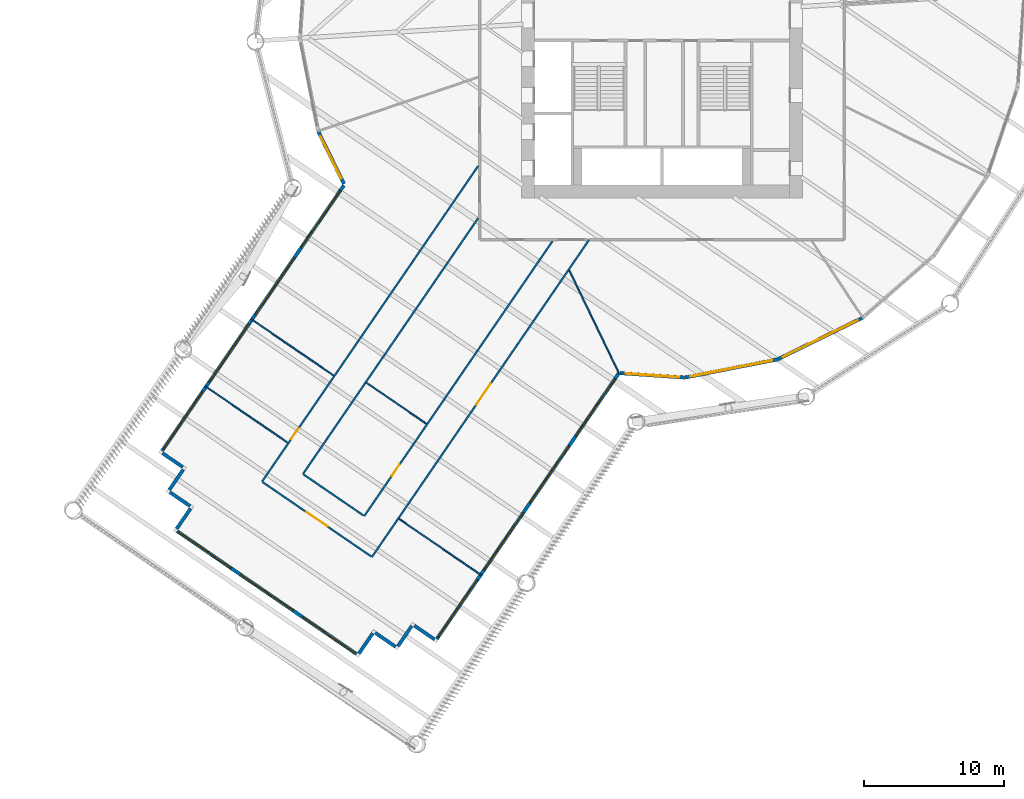
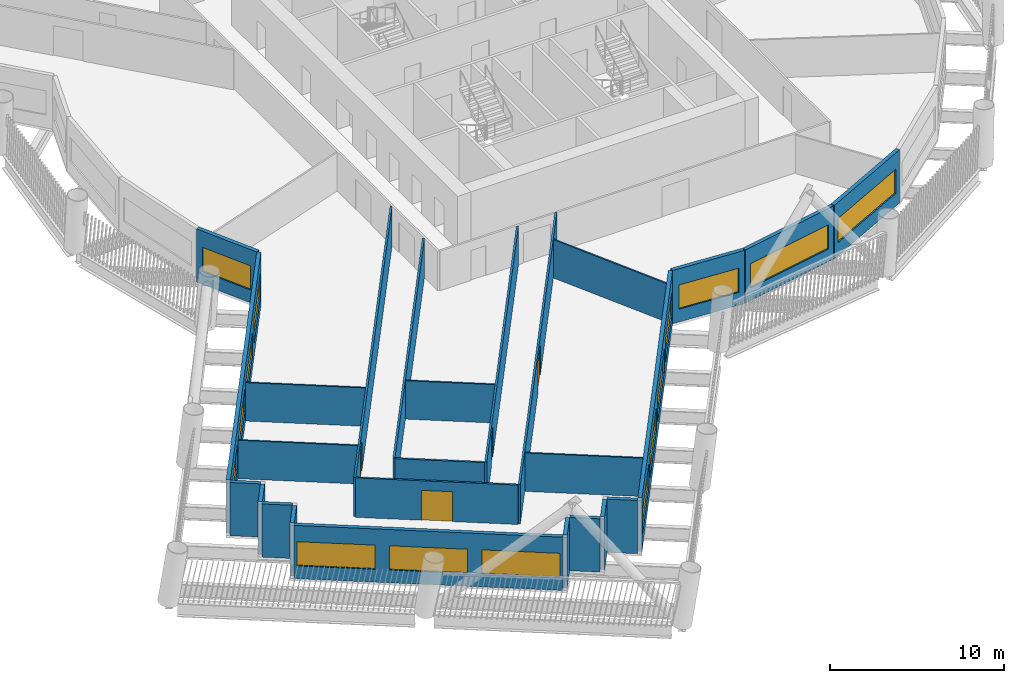
# One storey, part 3 of 22: 26 walls, 15 windows, 4 doors, 19 openings.
"""IFC4 building model written with IfcOpenShell, lengths in metres."""

from ifc_helpers import new_model, si_unit, direction, frame, frame_2d, origin, place, context, subcontext, project, spatial, rectangle, extrude, material, layer, layer_set, type_object, element, fill, save


model = new_model("IFC4")

# Units and contexts
model_context = context("Model", 3, precision=1e-05, world=origin(), true_north=direction((0.0, 1.0)))
body_context = subcontext(model_context, "Body", "Model", "MODEL_VIEW")
ifc_project = project(units=[si_unit("LENGTHUNIT", "METRE"), si_unit("AREAUNIT", "SQUARE_METRE"), si_unit("VOLUMEUNIT", "CUBIC_METRE"), si_unit("PLANEANGLEUNIT", "RADIAN"), si_unit("MASSUNIT", "GRAM", prefix="KILO")], contexts=[model_context])

# Site, building, storey
site_placement = place(None, origin())
site = spatial("IfcSite", under=ifc_project, at=site_placement, CompositionType="ELEMENT")
building_placement = place(site_placement, origin())
building = spatial("IfcBuilding", under=site, at=building_placement, Name="Tarsis Ring Headquarters", CompositionType="ELEMENT")
storey_placement = place(building_placement, frame((0.0, 0.0, 55.60009765625)))
storey = spatial("IfcBuildingStorey", under=building, at=storey_placement, Name="L11", CompositionType="ELEMENT", Elevation=55.60009765625)

# Walls
ifc_material_1 = material(Name="Gypsum board on steel studs", Category="steel")
ifc_layer_1 = layer(ifc_material_1, 0.10009765625)
ifc_layer_set_1 = layer_set([ifc_layer_1], Name="FL partition 100 unrated")
wall_type_1 = type_object("IfcWallType", Name="FL partition 100 unrated", PredefinedType="PARTITIONING", material=ifc_layer_set_1)
wall_1_placement = place(storey_placement, frame((-6.606689453125, -18.197265625, 0.0), z_axis=(0.0, 0.0, 1.0), x_axis=(0.436005957019, -0.899943779046, 0.0)))
element("IfcWall", 1, at=wall_1_placement, inside=storey, type_object=wall_type_1, Name="Partition PW3", PredefinedType="PARTITIONING", context=body_context, shape_type="SweptSolid", body=[
    extrude(rectangle(XDim=8.17236328125, YDim=0.10009765625, at=frame_2d((4.086181640625, 0.0))), origin(), (0.0, 0.0, 1.0), 2.699951171875),
])
wall_2_placement = place(storey_placement, frame((-18.740234375, -35.90087890625, 0.0), z_axis=(0.0, 0.0, 1.0), x_axis=(0.825106479051, -0.564977254611, 0.0)))
element("IfcWall", 2, at=wall_2_placement, inside=storey, type_object=wall_type_1, Name="Partition PW3", PredefinedType="PARTITIONING", context=body_context, shape_type="SweptSolid", body=[
    extrude(rectangle(XDim=7.130126953125, YDim=0.10009765625, at=frame_2d((3.56494140625, 0.0))), origin(), (0.0, 0.0, 1.0), 2.699951171875),
])
for number, where, z_axis, x_axis, name in (
    (3, (-32.577392578125, -26.426513671875, 0.0), (0.0, 0.0, 1.0), (0.825122441056, -0.564953942606, 0.0), "Partition PW3"),
    (4, (-29.300537109375, -21.640869140625, 0.0), (0.0, 0.0, 1.0), (0.825122441056, -0.564953942606, 0.0), "Partition PW3"),
):
    element("IfcWall", number, at=place(storey_placement, frame(where, z_axis=z_axis, x_axis=x_axis)), inside=storey, type_object=wall_type_1, Name=name, PredefinedType="PARTITIONING", context=body_context, shape_type="SweptSolid", body=[
        extrude(rectangle(XDim=7.1298828125, YDim=0.10009765625, at=frame_2d((3.56494140625, 0.0))), origin(), (0.0, 0.0, 1.0), 2.699951171875),
    ])
wall_3_placement = place(storey_placement, frame((-21.060791015625, -26.19189453125, 0.0), z_axis=(0.0, 0.0, 1.0), x_axis=(0.825107598471, -0.56497561978, 0.0)))
element("IfcWall", 5, at=wall_3_placement, inside=storey, type_object=wall_type_1, Name="Partition PW3", PredefinedType="PARTITIONING", context=body_context, shape_type="SweptSolid", body=[
    extrude(rectangle(XDim=5.159912109375, YDim=0.10009765625, at=frame_2d((2.580078125, 0.0))), origin(), (0.0, 0.0, 1.0), 2.699951171875),
])

# Wall, opening, door
ifc_layer_2 = layer(ifc_material_1, 0.125)
ifc_layer_set_2 = layer_set([ifc_layer_2], Name="FL partition 125 EI 60 H2770")
wall_type_2 = type_object("IfcWallType", Name="FL partition 125 EI 60 H2770", PredefinedType="PARTITIONING", material=ifc_layer_set_2)
wall_4_placement = place(storey_placement, frame((-28.51806640625, -33.24169921875, 0.0), z_axis=(0.0, 0.0, 1.0), x_axis=(0.564970951504, 0.825110794959, 0.0)))
wall_4 = element("IfcWall", 6, at=wall_4_placement, inside=storey, type_object=wall_type_2, Name="Partition PW1", PredefinedType="PARTITIONING", context=body_context, shape_type="SweptSolid", body=[
    extrude(rectangle(XDim=27.286865234375, YDim=0.125, at=frame_2d((13.6435546875, 0.0))), origin(), (0.0, 0.0, 1.0), 2.77001953125),
])
opening_1_placement = place(wall_4_placement, frame((3.681396484375, 0.0, 0.0)))
opening_1 = element("IfcOpeningElement", 7, at=opening_1_placement, cuts=wall_4, Name="Opening D11.12", PredefinedType="OPENING", context=body_context, shape_type="SweptSolid", body=[
    extrude(rectangle(XDim=0.89990234375, YDim=2.10009765625, at=frame_2d((0.449951171875, 1.050048828125))), frame((0.0, 0.072509765625, 0.0), z_axis=(0.0, -1.0, 0.0), x_axis=(1.0, 0.0, 0.0)), (0.0, 0.0, 1.0), 0.14501953125),
])
ifc_material_2 = material(Name="Fire-rated timber door leaf in steel frame", Category="steel")
door_type_1 = type_object("IfcDoorType", Name="FL door FD60-900", OperationType="NOTDEFINED", PredefinedType="DOOR", material=ifc_material_2)
door_1_placement = place(opening_1_placement, origin())
door_1 = element("IfcDoor", 8, at=door_1_placement, inside=storey, type_object=door_type_1, Name="Door D11.12", OperationType="SINGLE_SWING_LEFT", OverallHeight=2.10009765625, OverallWidth=0.89990234375, PredefinedType="DOOR", context=body_context, shape_type="SweptSolid", body=[
    extrude(rectangle(XDim=0.89990234375, YDim=2.10009765625, at=frame_2d((0.449951171875, 1.050048828125))), frame((0.0, 0.02490234375, 0.0), z_axis=(0.0, -1.0, 0.0), x_axis=(1.0, 0.0, 0.0)), (0.0, 0.0, 1.0), 0.050048828125),
])
fill(opening_1, door_1)

wall_5_placement = place(storey_placement, frame((-20.679443359375, -38.60888671875, 0.0), z_axis=(0.0, 0.0, 1.0), x_axis=(0.564975182901, 0.825107897615, 0.0)))
wall_5 = element("IfcWall", 9, at=wall_5_placement, inside=storey, type_object=wall_type_2, Name="Partition PW1", PredefinedType="PARTITIONING", context=body_context, shape_type="SweptSolid", body=[
    extrude(rectangle(XDim=27.401123046875, YDim=0.125, at=frame_2d((13.70068359375, 0.0))), origin(), (0.0, 0.0, 1.0), 2.77001953125),
])
opening_2_placement = place(wall_5_placement, frame((13.181396484375, 0.0, 0.0)))
opening_2 = element("IfcOpeningElement", 10, at=opening_2_placement, cuts=wall_5, Name="Opening D11.10", PredefinedType="OPENING", context=body_context, shape_type="SweptSolid", body=[
    extrude(rectangle(XDim=1.800048828125, YDim=2.10009765625, at=frame_2d((0.89990234375, 1.050048828125))), frame((0.0, 0.072509765625, 0.0), z_axis=(0.0, -1.0, 0.0), x_axis=(1.0, 0.0, 0.0)), (0.0, 0.0, 1.0), 0.14501953125),
])
door_type_2 = type_object("IfcDoorType", Name="FL door FD60-1800", OperationType="DOUBLE_DOOR_SINGLE_SWING", PredefinedType="DOOR", material=ifc_material_2)
door_2_placement = place(opening_2_placement, origin())
door_2 = element("IfcDoor", 11, at=door_2_placement, inside=storey, type_object=door_type_2, Name="Door D11.10", OperationType="DOUBLE_DOOR_SINGLE_SWING", OverallHeight=2.10009765625, OverallWidth=1.800048828125, PredefinedType="DOOR", context=body_context, shape_type="SweptSolid", body=[
    extrude(rectangle(XDim=1.800048828125, YDim=2.10009765625, at=frame_2d((0.89990234375, 1.050048828125))), frame((0.0, 0.02490234375, 0.0), z_axis=(0.0, -1.0, 0.0), x_axis=(1.0, 0.0, 0.0)), (0.0, 0.0, 1.0), 0.050048828125),
])
fill(opening_2, door_2)

wall_6_placement = place(storey_placement, frame((-21.2255859375, -35.68994140625, 0.0), z_axis=(0.0, 0.0, 1.0), x_axis=(0.564963548031, 0.825115864225, 0.0)))
wall_6 = element("IfcWall", 12, at=wall_6_placement, inside=storey, type_object=wall_type_2, Name="Partition PW1", PredefinedType="PARTITIONING", context=body_context, shape_type="SweptSolid", body=[
    extrude(rectangle(XDim=23.753173828125, YDim=0.125, at=frame_2d((11.87646484375, 0.0))), origin(), (0.0, 0.0, 1.0), 2.77001953125),
])
opening_3_placement = place(wall_6_placement, frame((3.466064453125, 0.0, 0.0)))
opening_3 = element("IfcOpeningElement", 13, at=opening_3_placement, cuts=wall_6, Name="Opening D11.18", PredefinedType="OPENING", context=body_context, shape_type="SweptSolid", body=[
    extrude(rectangle(XDim=1.0, YDim=2.10009765625, at=frame_2d((0.5, 1.050048828125))), frame((0.0, 0.072509765625, 0.0), z_axis=(0.0, -1.0, 0.0), x_axis=(1.0, 0.0, 0.0)), (0.0, 0.0, 1.0), 0.14501953125),
])
door_type_3 = type_object("IfcDoorType", Name="FL door FD60-1000", OperationType="NOTDEFINED", PredefinedType="DOOR", material=ifc_material_2)
door_3_placement = place(opening_3_placement, origin())
door_3 = element("IfcDoor", 14, at=door_3_placement, inside=storey, type_object=door_type_3, Name="Door D11.18", OperationType="SINGLE_SWING_LEFT", OverallHeight=2.10009765625, OverallWidth=1.0, PredefinedType="DOOR", context=body_context, shape_type="SweptSolid", body=[
    extrude(rectangle(XDim=1.0, YDim=2.10009765625, at=frame_2d((0.5, 1.050048828125))), frame((0.0, 0.02490234375, 0.0), z_axis=(0.0, -1.0, 0.0), x_axis=(1.0, 0.0, 0.0)), (0.0, 0.0, 1.0), 0.050048828125),
])
fill(opening_3, door_3)

# Wall
wall_7_placement = place(storey_placement, frame((-25.598876953125, -32.695556640625, 0.0), z_axis=(0.0, 0.0, 1.0), x_axis=(0.564967973378, 0.825112834137, 0.0)))
element("IfcWall", 15, at=wall_7_placement, inside=storey, type_object=wall_type_2, Name="Partition PW1", PredefinedType="PARTITIONING", context=body_context, shape_type="SweptSolid", body=[
    extrude(rectangle(XDim=22.119873046875, YDim=0.125, at=frame_2d((11.06005859375, 0.0))), origin(), (0.0, 0.0, 1.0), 2.77001953125),
])

# Wall, opening, door
wall_8_placement = place(storey_placement, frame((-28.468505859375, -33.275634765625, 0.0), z_axis=(0.0, 0.0, 1.0), x_axis=(0.825102914646, -0.564982460119, 0.0)))
wall_8 = element("IfcWall", 16, at=wall_8_placement, inside=storey, type_object=wall_type_2, Name="Partition PW1", PredefinedType="PARTITIONING", context=body_context, shape_type="SweptSolid", body=[
    extrude(rectangle(XDim=9.380126953125, YDim=0.125, at=frame_2d((4.68994140625, 0.0))), origin(), (0.0, 0.0, 1.0), 2.77001953125),
])
opening_4_placement = place(wall_8_placement, frame((3.7900390625, 0.0, 0.0)))
opening_4 = element("IfcOpeningElement", 17, at=opening_4_placement, cuts=wall_8, Name="Opening D11.11", PredefinedType="OPENING", context=body_context, shape_type="SweptSolid", body=[
    extrude(rectangle(XDim=1.800048828125, YDim=2.10009765625, at=frame_2d((0.89990234375, 1.050048828125))), frame((0.0, 0.072509765625, 0.0), z_axis=(0.0, -1.0, 0.0), x_axis=(1.0, 0.0, 0.0)), (0.0, 0.0, 1.0), 0.14501953125),
])
door_4_placement = place(opening_4_placement, origin())
door_4 = element("IfcDoor", 18, at=door_4_placement, inside=storey, type_object=door_type_2, Name="Door D11.11", OperationType="DOUBLE_DOOR_SINGLE_SWING", OverallHeight=2.10009765625, OverallWidth=1.800048828125, PredefinedType="DOOR", context=body_context, shape_type="SweptSolid", body=[
    extrude(rectangle(XDim=1.800048828125, YDim=2.10009765625, at=frame_2d((0.89990234375, 1.050048828125))), frame((0.0, 0.02490234375, 0.0), z_axis=(0.0, -1.0, 0.0), x_axis=(1.0, 0.0, 0.0)), (0.0, 0.0, 1.0), 0.050048828125),
])
fill(opening_4, door_4)

# Wall
wall_9_placement = place(storey_placement, frame((-25.54931640625, -32.7294921875, 0.0), z_axis=(0.0, 0.0, 1.0), x_axis=(0.825119937393, -0.564957599219, 0.0)))
element("IfcWall", 19, at=wall_9_placement, inside=storey, type_object=wall_type_2, Name="Partition PW1", PredefinedType="PARTITIONING", context=body_context, shape_type="SweptSolid", body=[
    extrude(rectangle(XDim=5.18017578125, YDim=0.125, at=frame_2d((2.590087890625, 0.0))), origin(), (0.0, 0.0, 1.0), 2.77001953125),
])

# Wall, opening, window
ifc_material_3 = material(Name="Terracotta clad insulated panel wall", Category="masonry")
ifc_layer_3 = layer(ifc_material_3, 0.25)
ifc_layer_set_3 = layer_set([ifc_layer_3], Name="Facade wall terracotta panel 250")
wall_type_3 = type_object("IfcWallType", Name="Facade wall terracotta panel 250", PredefinedType="STANDARD", material=ifc_layer_set_3)
wall_10_placement = place(storey_placement, frame((-24.51513671875, -8.267578125, 0.0), z_axis=(0.0, 0.0, 1.0), x_axis=(0.439916744878, -0.898038561297, 0.0)))
wall_10 = element("IfcWall", 20, at=wall_10_placement, inside=storey, type_object=wall_type_3, Name="External wall L11-05", PredefinedType="STANDARD", context=body_context, shape_type="SweptSolid", body=[
    extrude(rectangle(XDim=4.1572265625, YDim=0.25, at=frame_2d((2.07861328125, 0.0))), origin(), (0.0, 0.0, 1.0), 3.739990234375),
])
opening_5_placement = place(wall_10_placement, frame((0.38720703125, 0.0, 0.89990234375)))
opening_5 = element("IfcOpeningElement", 21, at=opening_5_placement, cuts=wall_10, Name="Opening WN01", PredefinedType="OPENING", context=body_context, shape_type="SweptSolid", body=[
    extrude(rectangle(XDim=3.35009765625, YDim=1.699951171875, at=frame_2d((1.675048828125, 0.85009765625))), frame((0.0, 0.135009765625, 0.0), z_axis=(0.0, -1.0, 0.0), x_axis=(1.0, 0.0, 0.0)), (0.0, 0.0, 1.0), 0.27001953125),
])
ifc_material_4 = material(Name="Aluminium framed double glazing", Category="aluminium")
window_type_1 = type_object("IfcWindowType", Name="Facade window 3350 x 1700", PartitioningType="SINGLE_PANEL", PredefinedType="WINDOW", material=ifc_material_4)
window_1_placement = place(opening_5_placement, origin())
window_1 = element("IfcWindow", 22, at=window_1_placement, inside=storey, type_object=window_type_1, Name="Window L11-05.1", OverallHeight=1.699951171875, OverallWidth=3.35009765625, PartitioningType="SINGLE_PANEL", PredefinedType="WINDOW", context=body_context, shape_type="SweptSolid", body=[
    extrude(rectangle(XDim=3.35009765625, YDim=1.699951171875, at=frame_2d((1.675048828125, 0.85009765625))), frame((0.0, 0.030029296875, 0.0), z_axis=(0.0, -1.0, 0.0), x_axis=(1.0, 0.0, 0.0)), (0.0, 0.0, 1.0), 0.06005859375),
])
fill(opening_5, window_1)

# Wall, openings, windows
wall_11_placement = place(storey_placement, frame((-22.6953125, -12.126708984375, 0.0), z_axis=(0.0, 0.0, 1.0), x_axis=(-0.56496605091, -0.825114150478, 0.0)))
wall_11 = element("IfcWall", 23, at=wall_11_placement, inside=storey, type_object=wall_type_3, Name="External wall L11-06", PredefinedType="STANDARD", context=body_context, shape_type="SweptSolid", body=[
    extrude(rectangle(XDim=22.922119140625, YDim=0.25, at=frame_2d((11.4609375, 0.0))), origin(), (0.0, 0.0, 1.0), 3.739990234375),
])
opening_6_placement = place(wall_11_placement, frame((0.42138671875, 0.0, 0.89990234375)))
opening_6 = element("IfcOpeningElement", 24, at=opening_6_placement, cuts=wall_11, Name="Opening WN05", PredefinedType="OPENING", context=body_context, shape_type="SweptSolid", body=[
    extrude(rectangle(XDim=4.949951171875, YDim=1.699951171875, at=frame_2d((2.47509765625, 0.85009765625))), frame((0.0, 0.135009765625, 0.0), z_axis=(0.0, -1.0, 0.0), x_axis=(1.0, 0.0, 0.0)), (0.0, 0.0, 1.0), 0.27001953125),
])
opening_7_placement = place(wall_11_placement, frame((6.214599609375, 0.0, 0.89990234375)))
opening_7 = element("IfcOpeningElement", 25, at=opening_7_placement, cuts=wall_11, Name="Opening WN05", PredefinedType="OPENING", context=body_context, shape_type="SweptSolid", body=[
    extrude(rectangle(XDim=4.949951171875, YDim=1.699951171875, at=frame_2d((2.47509765625, 0.85009765625))), frame((0.0, 0.135009765625, 0.0), z_axis=(0.0, -1.0, 0.0), x_axis=(1.0, 0.0, 0.0)), (0.0, 0.0, 1.0), 0.27001953125),
])
opening_8_placement = place(wall_11_placement, frame((12.007568359375, 0.0, 0.89990234375)))
opening_8 = element("IfcOpeningElement", 26, at=opening_8_placement, cuts=wall_11, Name="Opening WN05", PredefinedType="OPENING", context=body_context, shape_type="SweptSolid", body=[
    extrude(rectangle(XDim=4.949951171875, YDim=1.699951171875, at=frame_2d((2.47509765625, 0.85009765625))), frame((0.0, 0.135009765625, 0.0), z_axis=(0.0, -1.0, 0.0), x_axis=(1.0, 0.0, 0.0)), (0.0, 0.0, 1.0), 0.27001953125),
])
opening_9_placement = place(wall_11_placement, frame((17.800537109375, 0.0, 0.89990234375)))
opening_9 = element("IfcOpeningElement", 27, at=opening_9_placement, cuts=wall_11, Name="Opening WN05", PredefinedType="OPENING", context=body_context, shape_type="SweptSolid", body=[
    extrude(rectangle(XDim=4.949951171875, YDim=1.699951171875, at=frame_2d((2.47509765625, 0.85009765625))), frame((0.0, 0.135009765625, 0.0), z_axis=(0.0, -1.0, 0.0), x_axis=(1.0, 0.0, 0.0)), (0.0, 0.0, 1.0), 0.27001953125),
])
window_type_2 = type_object("IfcWindowType", Name="Facade window 4950 x 1700", PartitioningType="SINGLE_PANEL", PredefinedType="WINDOW", material=ifc_material_4)
window_2_placement = place(opening_6_placement, origin())
window_2 = element("IfcWindow", 28, at=window_2_placement, inside=storey, type_object=window_type_2, Name="Window L11-06.1", OverallHeight=1.699951171875, OverallWidth=4.949951171875, PartitioningType="SINGLE_PANEL", PredefinedType="WINDOW", context=body_context, shape_type="SweptSolid", body=[
    extrude(rectangle(XDim=4.949951171875, YDim=1.699951171875, at=frame_2d((2.47509765625, 0.85009765625))), frame((0.0, 0.030029296875, 0.0), z_axis=(0.0, -1.0, 0.0), x_axis=(1.0, 0.0, 0.0)), (0.0, 0.0, 1.0), 0.06005859375),
])
fill(opening_6, window_2)
window_3_placement = place(opening_7_placement, origin())
window_3 = element("IfcWindow", 29, at=window_3_placement, inside=storey, type_object=window_type_2, Name="Window L11-06.2", OverallHeight=1.699951171875, OverallWidth=4.949951171875, PartitioningType="SINGLE_PANEL", PredefinedType="WINDOW", context=body_context, shape_type="SweptSolid", body=[
    extrude(rectangle(XDim=4.949951171875, YDim=1.699951171875, at=frame_2d((2.47509765625, 0.85009765625))), frame((0.0, 0.030029296875, 0.0), z_axis=(0.0, -1.0, 0.0), x_axis=(1.0, 0.0, 0.0)), (0.0, 0.0, 1.0), 0.06005859375),
])
fill(opening_7, window_3)
window_4_placement = place(opening_8_placement, origin())
window_4 = element("IfcWindow", 30, at=window_4_placement, inside=storey, type_object=window_type_2, Name="Window L11-06.3", OverallHeight=1.699951171875, OverallWidth=4.949951171875, PartitioningType="SINGLE_PANEL", PredefinedType="WINDOW", context=body_context, shape_type="SweptSolid", body=[
    extrude(rectangle(XDim=4.949951171875, YDim=1.699951171875, at=frame_2d((2.47509765625, 0.85009765625))), frame((0.0, 0.030029296875, 0.0), z_axis=(0.0, -1.0, 0.0), x_axis=(1.0, 0.0, 0.0)), (0.0, 0.0, 1.0), 0.06005859375),
])
fill(opening_8, window_4)
window_5_placement = place(opening_9_placement, origin())
window_5 = element("IfcWindow", 31, at=window_5_placement, inside=storey, type_object=window_type_2, Name="Window L11-06.4", OverallHeight=1.699951171875, OverallWidth=4.949951171875, PartitioningType="SINGLE_PANEL", PredefinedType="WINDOW", context=body_context, shape_type="SweptSolid", body=[
    extrude(rectangle(XDim=4.949951171875, YDim=1.699951171875, at=frame_2d((2.47509765625, 0.85009765625))), frame((0.0, 0.030029296875, 0.0), z_axis=(0.0, -1.0, 0.0), x_axis=(1.0, 0.0, 0.0)), (0.0, 0.0, 1.0), 0.06005859375),
])
fill(opening_9, window_5)

# Walls
wall_12_placement = place(storey_placement, frame((-35.613037109375, -31.213623046875, 0.0), z_axis=(0.0, 0.0, 1.0), x_axis=(0.825119027376, -0.564958928296, 0.0)))
element("IfcWall", 32, at=wall_12_placement, inside=storey, type_object=wall_type_3, Name="External wall L11-07", PredefinedType="STANDARD", context=body_context, shape_type="SweptSolid", body=[
    extrude(rectangle(XDim=1.750244140625, YDim=0.25, at=frame_2d((0.875, 0.0))), origin(), (0.0, 0.0, 1.0), 3.739990234375),
])
wall_13_placement = place(storey_placement, frame((-34.136474609375, -32.376220703125, 0.0), z_axis=(0.0, 0.0, 1.0), x_axis=(-0.565023961268, -0.825074495541, 0.0)))
element("IfcWall", 33, at=wall_13_placement, inside=storey, type_object=wall_type_3, Name="External wall L11-08", PredefinedType="STANDARD", context=body_context, shape_type="SweptSolid", body=[
    extrude(rectangle(XDim=1.75, YDim=0.25, at=frame_2d((0.875, 0.0))), origin(), (0.0, 0.0, 1.0), 3.739990234375),
])
for number, where, z_axis, x_axis, name in (
    (34, (-35.0927734375, -33.993896484375, 0.0), (0.0, 0.0, 1.0), (0.825119027376, -0.564958928296, 0.0), "External wall L11-09"),
    (35, (-33.6162109375, -35.15625, 0.0), (0.0, 0.0, 1.0), (-0.564958928296, -0.825119027376, 0.0), "External wall L11-10"),
):
    element("IfcWall", number, at=place(storey_placement, frame(where, z_axis=z_axis, x_axis=x_axis)), inside=storey, type_object=wall_type_3, Name=name, PredefinedType="STANDARD", context=body_context, shape_type="SweptSolid", body=[
        extrude(rectangle(XDim=1.750244140625, YDim=0.25, at=frame_2d((0.875, 0.0))), origin(), (0.0, 0.0, 1.0), 3.739990234375),
    ])

# Wall, openings, windows
wall_14_placement = place(storey_placement, frame((-34.572265625, -36.77392578125, 0.0), z_axis=(0.0, 0.0, 1.0), x_axis=(0.825106694483, -0.564976939989, 0.0)))
wall_14 = element("IfcWall", 36, at=wall_14_placement, inside=storey, type_object=wall_type_3, Name="External wall L11-11", PredefinedType="STANDARD", context=body_context, shape_type="SweptSolid", body=[
    extrude(rectangle(XDim=15.5, YDim=0.25, at=frame_2d((7.75, 0.0))), origin(), (0.0, 0.0, 1.0), 3.739990234375),
])
opening_10_placement = place(wall_14_placement, frame((0.166748046875, 0.0, 0.89990234375)))
opening_10 = element("IfcOpeningElement", 37, at=opening_10_placement, cuts=wall_14, Name="Opening WN04", PredefinedType="OPENING", context=body_context, shape_type="SweptSolid", body=[
    extrude(rectangle(XDim=4.5, YDim=1.699951171875, at=frame_2d((2.25, 0.85009765625))), frame((0.0, 0.135009765625, 0.0), z_axis=(0.0, -1.0, 0.0), x_axis=(1.0, 0.0, 0.0)), (0.0, 0.0, 1.0), 0.27001953125),
])
opening_11_placement = place(wall_14_placement, frame((5.5, 0.0, 0.89990234375)))
opening_11 = element("IfcOpeningElement", 38, at=opening_11_placement, cuts=wall_14, Name="Opening WN04", PredefinedType="OPENING", context=body_context, shape_type="SweptSolid", body=[
    extrude(rectangle(XDim=4.5, YDim=1.699951171875, at=frame_2d((2.25, 0.85009765625))), frame((0.0, 0.135009765625, 0.0), z_axis=(0.0, -1.0, 0.0), x_axis=(1.0, 0.0, 0.0)), (0.0, 0.0, 1.0), 0.27001953125),
])
opening_12_placement = place(wall_14_placement, frame((10.833251953125, 0.0, 0.89990234375)))
opening_12 = element("IfcOpeningElement", 39, at=opening_12_placement, cuts=wall_14, Name="Opening WN04", PredefinedType="OPENING", context=body_context, shape_type="SweptSolid", body=[
    extrude(rectangle(XDim=4.5, YDim=1.699951171875, at=frame_2d((2.25, 0.85009765625))), frame((0.0, 0.135009765625, 0.0), z_axis=(0.0, -1.0, 0.0), x_axis=(1.0, 0.0, 0.0)), (0.0, 0.0, 1.0), 0.27001953125),
])
window_type_3 = type_object("IfcWindowType", Name="Facade window 4500 x 1700", PartitioningType="SINGLE_PANEL", PredefinedType="WINDOW", material=ifc_material_4)
window_6_placement = place(opening_10_placement, origin())
window_6 = element("IfcWindow", 40, at=window_6_placement, inside=storey, type_object=window_type_3, Name="Window L11-11.1", OverallHeight=1.699951171875, OverallWidth=4.5, PartitioningType="SINGLE_PANEL", PredefinedType="WINDOW", context=body_context, shape_type="SweptSolid", body=[
    extrude(rectangle(XDim=4.5, YDim=1.699951171875, at=frame_2d((2.25, 0.85009765625))), frame((0.0, 0.030029296875, 0.0), z_axis=(0.0, -1.0, 0.0), x_axis=(1.0, 0.0, 0.0)), (0.0, 0.0, 1.0), 0.06005859375),
])
fill(opening_10, window_6)
window_7_placement = place(opening_11_placement, origin())
window_7 = element("IfcWindow", 41, at=window_7_placement, inside=storey, type_object=window_type_3, Name="Window L11-11.2", OverallHeight=1.699951171875, OverallWidth=4.5, PartitioningType="SINGLE_PANEL", PredefinedType="WINDOW", context=body_context, shape_type="SweptSolid", body=[
    extrude(rectangle(XDim=4.5, YDim=1.699951171875, at=frame_2d((2.25, 0.85009765625))), frame((0.0, 0.030029296875, 0.0), z_axis=(0.0, -1.0, 0.0), x_axis=(1.0, 0.0, 0.0)), (0.0, 0.0, 1.0), 0.06005859375),
])
fill(opening_11, window_7)
window_8_placement = place(opening_12_placement, origin())
window_8 = element("IfcWindow", 42, at=window_8_placement, inside=storey, type_object=window_type_3, Name="Window L11-11.3", OverallHeight=1.699951171875, OverallWidth=4.5, PartitioningType="SINGLE_PANEL", PredefinedType="WINDOW", context=body_context, shape_type="SweptSolid", body=[
    extrude(rectangle(XDim=4.5, YDim=1.699951171875, at=frame_2d((2.25, 0.85009765625))), frame((0.0, 0.030029296875, 0.0), z_axis=(0.0, -1.0, 0.0), x_axis=(1.0, 0.0, 0.0)), (0.0, 0.0, 1.0), 0.06005859375),
])
fill(opening_12, window_8)

# Walls
wall_15_placement = place(storey_placement, frame((-21.609375, -45.49853515625, 0.0), z_axis=(0.0, 0.0, 1.0), x_axis=(0.564958928296, 0.825119027376, 0.0)))
element("IfcWall", 43, at=wall_15_placement, inside=storey, type_object=wall_type_3, Name="External wall L11-12", PredefinedType="STANDARD", context=body_context, shape_type="SweptSolid", body=[
    extrude(rectangle(XDim=1.750244140625, YDim=0.25, at=frame_2d((0.875, 0.0))), origin(), (0.0, 0.0, 1.0), 3.739990234375),
])
for number, where, z_axis, x_axis, name in (
    (44, (-20.44677734375, -44.02197265625, 0.0), (0.0, 0.0, 1.0), (0.825074495541, -0.565023961268, 0.0), "External wall L11-13"),
    (45, (-18.8291015625, -44.978271484375, 0.0), (0.0, 0.0, 1.0), (0.564863945184, 0.825184054276, 0.0), "External wall L11-14"),
):
    element("IfcWall", number, at=place(storey_placement, frame(where, z_axis=z_axis, x_axis=x_axis)), inside=storey, type_object=wall_type_3, Name=name, PredefinedType="STANDARD", context=body_context, shape_type="SweptSolid", body=[
        extrude(rectangle(XDim=1.75, YDim=0.25, at=frame_2d((0.875, 0.0))), origin(), (0.0, 0.0, 1.0), 3.739990234375),
    ])
wall_16_placement = place(storey_placement, frame((-17.666748046875, -43.501708984375, 0.0), z_axis=(0.0, 0.0, 1.0), x_axis=(0.825119027376, -0.564958928296, 0.0)))
element("IfcWall", 46, at=wall_16_placement, inside=storey, type_object=wall_type_3, Name="External wall L11-15", PredefinedType="STANDARD", context=body_context, shape_type="SweptSolid", body=[
    extrude(rectangle(XDim=1.750244140625, YDim=0.25, at=frame_2d((0.875, 0.0))), origin(), (0.0, 0.0, 1.0), 3.739990234375),
])

# Wall, openings, windows
wall_17_placement = place(storey_placement, frame((-16.049072265625, -44.4580078125, 0.0), z_axis=(0.0, 0.0, 1.0), x_axis=(0.564965542003, 0.825114498933, 0.0)))
wall_17 = element("IfcWall", 47, at=wall_17_placement, inside=storey, type_object=wall_type_3, Name="External wall L11-16", PredefinedType="STANDARD", context=body_context, shape_type="SweptSolid", body=[
    extrude(rectangle(XDim=22.9013671875, YDim=0.25, at=frame_2d((11.45068359375, 0.0))), origin(), (0.0, 0.0, 1.0), 3.739990234375),
])
opening_13_placement = place(wall_17_placement, frame((0.1689453125, 0.0, 0.89990234375)))
opening_13 = element("IfcOpeningElement", 48, at=opening_13_placement, cuts=wall_17, Name="Opening WN05", PredefinedType="OPENING", context=body_context, shape_type="SweptSolid", body=[
    extrude(rectangle(XDim=4.949951171875, YDim=1.699951171875, at=frame_2d((2.47509765625, 0.85009765625))), frame((0.0, 0.135009765625, 0.0), z_axis=(0.0, -1.0, 0.0), x_axis=(1.0, 0.0, 0.0)), (0.0, 0.0, 1.0), 0.27001953125),
])
opening_14_placement = place(wall_17_placement, frame((5.956787109375, 0.0, 0.89990234375)))
opening_14 = element("IfcOpeningElement", 49, at=opening_14_placement, cuts=wall_17, Name="Opening WN05", PredefinedType="OPENING", context=body_context, shape_type="SweptSolid", body=[
    extrude(rectangle(XDim=4.949951171875, YDim=1.699951171875, at=frame_2d((2.47509765625, 0.85009765625))), frame((0.0, 0.135009765625, 0.0), z_axis=(0.0, -1.0, 0.0), x_axis=(1.0, 0.0, 0.0)), (0.0, 0.0, 1.0), 0.27001953125),
])
opening_15_placement = place(wall_17_placement, frame((11.74462890625, 0.0, 0.89990234375)))
opening_15 = element("IfcOpeningElement", 50, at=opening_15_placement, cuts=wall_17, Name="Opening WN05", PredefinedType="OPENING", context=body_context, shape_type="SweptSolid", body=[
    extrude(rectangle(XDim=4.949951171875, YDim=1.699951171875, at=frame_2d((2.47509765625, 0.85009765625))), frame((0.0, 0.135009765625, 0.0), z_axis=(0.0, -1.0, 0.0), x_axis=(1.0, 0.0, 0.0)), (0.0, 0.0, 1.0), 0.27001953125),
])
opening_16_placement = place(wall_17_placement, frame((17.532470703125, 0.0, 0.89990234375)))
opening_16 = element("IfcOpeningElement", 51, at=opening_16_placement, cuts=wall_17, Name="Opening WN05", PredefinedType="OPENING", context=body_context, shape_type="SweptSolid", body=[
    extrude(rectangle(XDim=4.949951171875, YDim=1.699951171875, at=frame_2d((2.47509765625, 0.85009765625))), frame((0.0, 0.135009765625, 0.0), z_axis=(0.0, -1.0, 0.0), x_axis=(1.0, 0.0, 0.0)), (0.0, 0.0, 1.0), 0.27001953125),
])
window_9_placement = place(opening_13_placement, origin())
window_9 = element("IfcWindow", 52, at=window_9_placement, inside=storey, type_object=window_type_2, Name="Window L11-16.1", OverallHeight=1.699951171875, OverallWidth=4.949951171875, PartitioningType="SINGLE_PANEL", PredefinedType="WINDOW", context=body_context, shape_type="SweptSolid", body=[
    extrude(rectangle(XDim=4.949951171875, YDim=1.699951171875, at=frame_2d((2.47509765625, 0.85009765625))), frame((0.0, 0.030029296875, 0.0), z_axis=(0.0, -1.0, 0.0), x_axis=(1.0, 0.0, 0.0)), (0.0, 0.0, 1.0), 0.06005859375),
])
fill(opening_13, window_9)
window_10_placement = place(opening_14_placement, origin())
window_10 = element("IfcWindow", 53, at=window_10_placement, inside=storey, type_object=window_type_2, Name="Window L11-16.2", OverallHeight=1.699951171875, OverallWidth=4.949951171875, PartitioningType="SINGLE_PANEL", PredefinedType="WINDOW", context=body_context, shape_type="SweptSolid", body=[
    extrude(rectangle(XDim=4.949951171875, YDim=1.699951171875, at=frame_2d((2.47509765625, 0.85009765625))), frame((0.0, 0.030029296875, 0.0), z_axis=(0.0, -1.0, 0.0), x_axis=(1.0, 0.0, 0.0)), (0.0, 0.0, 1.0), 0.06005859375),
])
fill(opening_14, window_10)
window_11_placement = place(opening_15_placement, origin())
window_11 = element("IfcWindow", 54, at=window_11_placement, inside=storey, type_object=window_type_2, Name="Window L11-16.3", OverallHeight=1.699951171875, OverallWidth=4.949951171875, PartitioningType="SINGLE_PANEL", PredefinedType="WINDOW", context=body_context, shape_type="SweptSolid", body=[
    extrude(rectangle(XDim=4.949951171875, YDim=1.699951171875, at=frame_2d((2.47509765625, 0.85009765625))), frame((0.0, 0.030029296875, 0.0), z_axis=(0.0, -1.0, 0.0), x_axis=(1.0, 0.0, 0.0)), (0.0, 0.0, 1.0), 0.06005859375),
])
fill(opening_15, window_11)
window_12_placement = place(opening_16_placement, origin())
window_12 = element("IfcWindow", 55, at=window_12_placement, inside=storey, type_object=window_type_2, Name="Window L11-16.4", OverallHeight=1.699951171875, OverallWidth=4.949951171875, PartitioningType="SINGLE_PANEL", PredefinedType="WINDOW", context=body_context, shape_type="SweptSolid", body=[
    extrude(rectangle(XDim=4.949951171875, YDim=1.699951171875, at=frame_2d((2.47509765625, 0.85009765625))), frame((0.0, 0.030029296875, 0.0), z_axis=(0.0, -1.0, 0.0), x_axis=(1.0, 0.0, 0.0)), (0.0, 0.0, 1.0), 0.06005859375),
])
fill(opening_16, window_12)

# Wall, opening, window
wall_18_placement = place(storey_placement, frame((-2.998779296875, -25.507568359375, 0.0), z_axis=(0.0, 0.0, 1.0), x_axis=(0.997682224556, -0.068045417223, 0.0)))
wall_18 = element("IfcWall", 56, at=wall_18_placement, inside=storey, type_object=wall_type_3, Name="External wall L11-17", PredefinedType="STANDARD", context=body_context, shape_type="SweptSolid", body=[
    extrude(rectangle(XDim=4.61767578125, YDim=0.25, at=frame_2d((2.308837890625, 0.0))), origin(), (0.0, 0.0, 1.0), 3.739990234375),
])
opening_17_placement = place(wall_18_placement, frame((0.400390625, 0.0, 0.89990234375)))
opening_17 = element("IfcOpeningElement", 57, at=opening_17_placement, cuts=wall_18, Name="Opening WN02", PredefinedType="OPENING", context=body_context, shape_type="SweptSolid", body=[
    extrude(rectangle(XDim=3.85009765625, YDim=1.699951171875, at=frame_2d((1.925048828125, 0.85009765625))), frame((0.0, 0.135009765625, 0.0), z_axis=(0.0, -1.0, 0.0), x_axis=(1.0, 0.0, 0.0)), (0.0, 0.0, 1.0), 0.27001953125),
])
window_type_4 = type_object("IfcWindowType", Name="Facade window 3850 x 1700", PartitioningType="SINGLE_PANEL", PredefinedType="WINDOW", material=ifc_material_4)
window_13_placement = place(opening_17_placement, origin())
window_13 = element("IfcWindow", 58, at=window_13_placement, inside=storey, type_object=window_type_4, Name="Window L11-17.1", OverallHeight=1.699951171875, OverallWidth=3.85009765625, PartitioningType="SINGLE_PANEL", PredefinedType="WINDOW", context=body_context, shape_type="SweptSolid", body=[
    extrude(rectangle(XDim=3.85009765625, YDim=1.699951171875, at=frame_2d((1.925048828125, 0.85009765625))), frame((0.0, 0.030029296875, 0.0), z_axis=(0.0, -1.0, 0.0), x_axis=(1.0, 0.0, 0.0)), (0.0, 0.0, 1.0), 0.06005859375),
])
fill(opening_17, window_13)

wall_19_placement = place(storey_placement, frame((1.640869140625, -25.819580078125, 0.0), z_axis=(0.0, 0.0, 1.0), x_axis=(0.981294917944, 0.192510477684, 0.0)))
wall_19 = element("IfcWall", 59, at=wall_19_placement, inside=storey, type_object=wall_type_3, Name="External wall L11-18", PredefinedType="STANDARD", context=body_context, shape_type="SweptSolid", body=[
    extrude(rectangle(XDim=6.721435546875, YDim=0.25, at=frame_2d((3.36083984375, 0.0))), origin(), (0.0, 0.0, 1.0), 3.739990234375),
])
opening_18_placement = place(wall_19_placement, frame((0.3857421875, 0.0, 0.89990234375)))
opening_18 = element("IfcOpeningElement", 60, at=opening_18_placement, cuts=wall_19, Name="Opening WN07", PredefinedType="OPENING", context=body_context, shape_type="SweptSolid", body=[
    extrude(rectangle(XDim=5.949951171875, YDim=1.699951171875, at=frame_2d((2.97509765625, 0.85009765625))), frame((0.0, 0.135009765625, 0.0), z_axis=(0.0, -1.0, 0.0), x_axis=(1.0, 0.0, 0.0)), (0.0, 0.0, 1.0), 0.27001953125),
])
window_type_5 = type_object("IfcWindowType", Name="Facade window 5950 x 1700", PartitioningType="SINGLE_PANEL", PredefinedType="WINDOW", material=ifc_material_4)
window_14_placement = place(opening_18_placement, origin())
window_14 = element("IfcWindow", 61, at=window_14_placement, inside=storey, type_object=window_type_5, Name="Window L11-18.1", OverallHeight=1.699951171875, OverallWidth=5.949951171875, PartitioningType="SINGLE_PANEL", PredefinedType="WINDOW", context=body_context, shape_type="SweptSolid", body=[
    extrude(rectangle(XDim=5.949951171875, YDim=1.699951171875, at=frame_2d((2.97509765625, 0.85009765625))), frame((0.0, 0.030029296875, 0.0), z_axis=(0.0, -1.0, 0.0), x_axis=(1.0, 0.0, 0.0)), (0.0, 0.0, 1.0), 0.06005859375),
])
fill(opening_18, window_14)

wall_20_placement = place(storey_placement, frame((8.267578125, -24.51513671875, 0.0), z_axis=(0.0, 0.0, 1.0), x_axis=(0.898029909369, 0.439934406337, 0.0)))
wall_20 = element("IfcWall", 62, at=wall_20_placement, inside=storey, type_object=wall_type_3, Name="External wall L11-19", PredefinedType="STANDARD", context=body_context, shape_type="SweptSolid", body=[
    extrude(rectangle(XDim=6.721435546875, YDim=0.25, at=frame_2d((3.36083984375, 0.0))), origin(), (0.0, 0.0, 1.0), 3.739990234375),
])
opening_19_placement = place(wall_20_placement, frame((0.3857421875, 0.0, 0.89990234375)))
opening_19 = element("IfcOpeningElement", 63, at=opening_19_placement, cuts=wall_20, Name="Opening WN07", PredefinedType="OPENING", context=body_context, shape_type="SweptSolid", body=[
    extrude(rectangle(XDim=5.949951171875, YDim=1.699951171875, at=frame_2d((2.97509765625, 0.85009765625))), frame((0.0, 0.135009765625, 0.0), z_axis=(0.0, -1.0, 0.0), x_axis=(1.0, 0.0, 0.0)), (0.0, 0.0, 1.0), 0.27001953125),
])
window_15_placement = place(opening_19_placement, origin())
window_15 = element("IfcWindow", 64, at=window_15_placement, inside=storey, type_object=window_type_5, Name="Window L11-19.1", OverallHeight=1.699951171875, OverallWidth=5.949951171875, PartitioningType="SINGLE_PANEL", PredefinedType="WINDOW", context=body_context, shape_type="SweptSolid", body=[
    extrude(rectangle(XDim=5.949951171875, YDim=1.699951171875, at=frame_2d((2.97509765625, 0.85009765625))), frame((0.0, 0.030029296875, 0.0), z_axis=(0.0, -1.0, 0.0), x_axis=(1.0, 0.0, 0.0)), (0.0, 0.0, 1.0), 0.06005859375),
])
fill(opening_19, window_15)

save(model, "model.ifc")
